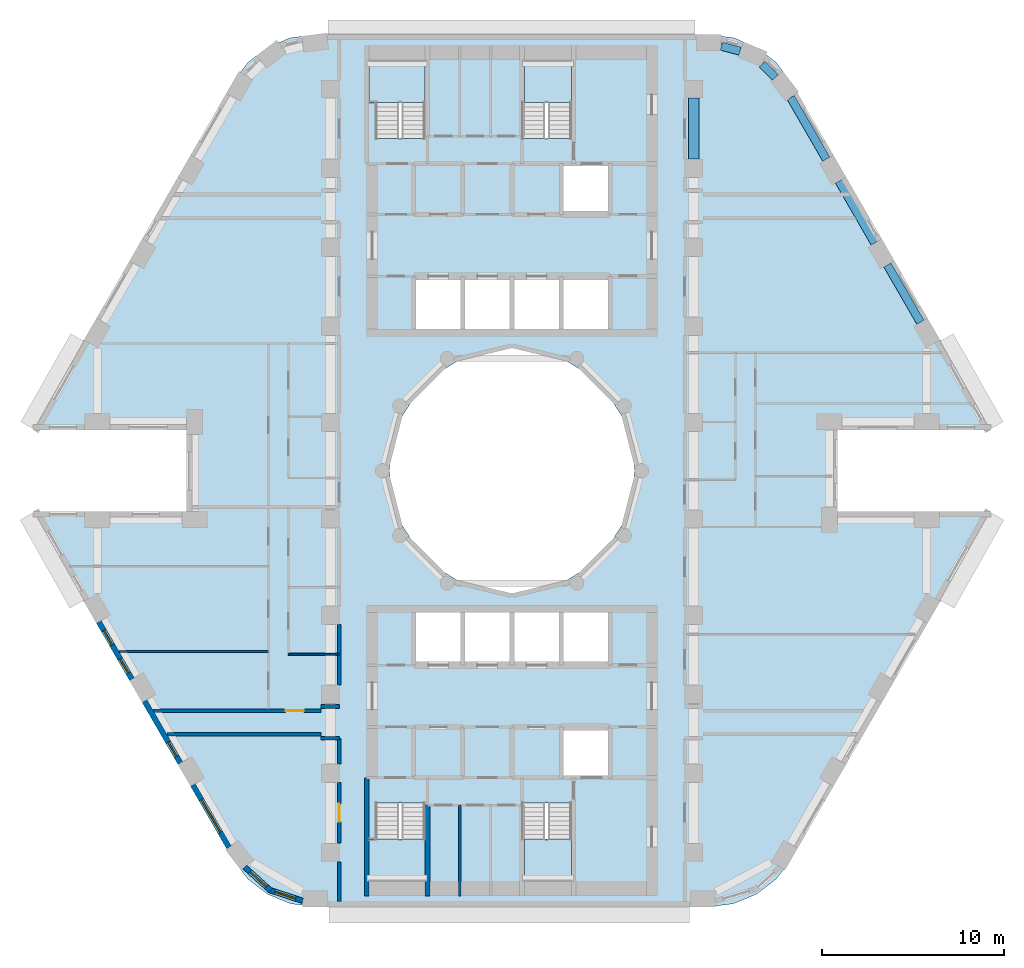
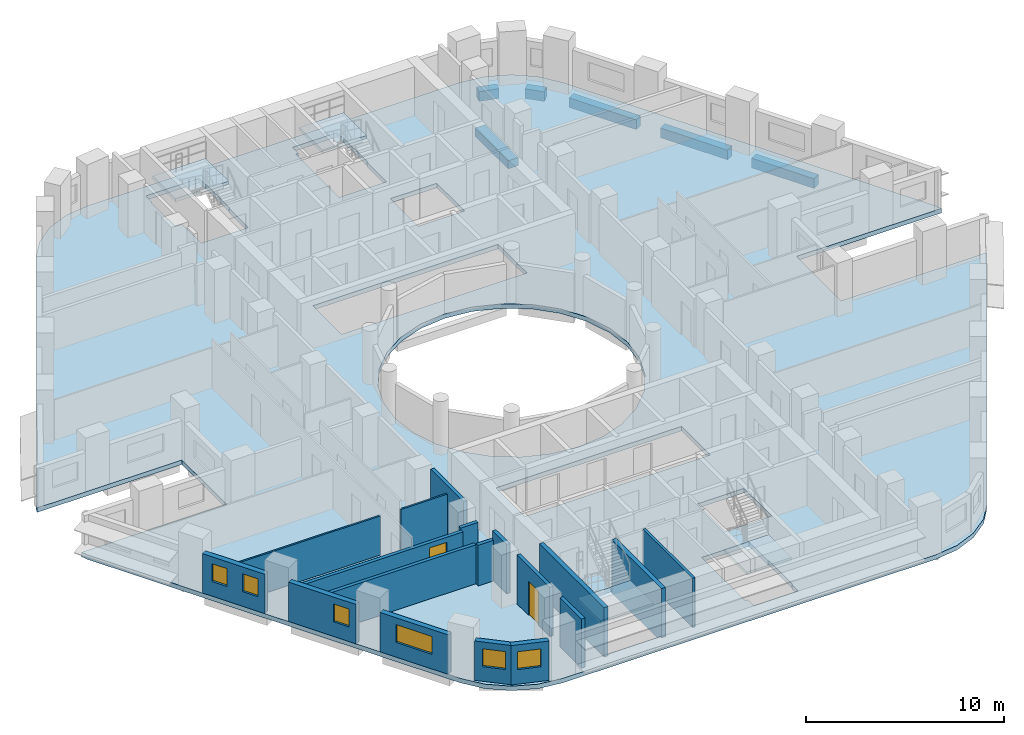
# One storey, part 2 of 12: 18 walls, 6 beams, 6 windows, 5 slabs, 2 doors, 8 openings, 4 elements without a shape of their own.
"""IFC4 building model written with IfcOpenShell, lengths in metres."""

import ifcopenshell
import ifcopenshell.guid

model = None  # the IFC model being written
_history = None  # IfcOwnerHistory: only IFC2X3 demands one
_inside = {}  # id of a spatial element -> (the spatial element, [elements in it])
_under = {}  # id of a project, library or spatial element -> (it, [spatial elements below it])
_declared = {}  # id of a project -> (the project, [libraries it declares])
_typed = {}  # id of a type object -> (the type object, [elements of that type])
_made_of = {}  # id of a material, layer set ... -> (it, [elements and type objects made of it])


def new_model(schema):
    """Start an empty IFC model of exactly this schema.

    Asked for "IFC4X3", IfcOpenShell would pick the latest addendum, in which some entities
    have other attributes; the version numbers below select the first issue.
    IFC2X3 requires an IfcOwnerHistory on every rooted entity: one is made here for all.
    """
    global model, _history
    if schema == "IFC4X3":
        model = ifcopenshell.file(schema_version=(4, 3, 0, 0))
    else:
        model = ifcopenshell.file(schema=schema)
    _inside.clear()
    _under.clear()
    _declared.clear()
    _typed.clear()
    _made_of.clear()
    _history = None
    if model.schema == "IFC2X3":
        org = make("IfcOrganization", Name="unknown")
        user = make(
            "IfcPersonAndOrganization",
            ThePerson=make("IfcPerson", FamilyName="unknown"),
            TheOrganization=org,
        )
        app = make(
            "IfcApplication",
            ApplicationDeveloper=org,
            Version="unknown",
            ApplicationFullName="unknown",
            ApplicationIdentifier="unknown",
        )
        _history = make(
            "IfcOwnerHistory",
            OwningUser=user,
            OwningApplication=app,
            ChangeAction="ADDED",
            CreationDate=0,
        )
    return model


def make(cls, **values):
    """One entity of the class cls with the attributes given. An attribute that is None is left unset."""
    return model.create_entity(
        cls, **{name: value for name, value in values.items() if value is not None}
    )


def rooted(cls, **values):
    """An entity with a GlobalId (a new one), such as an element, a storey or a relation."""
    return make(cls, GlobalId=ifcopenshell.guid.new(), OwnerHistory=_history, **values)


def si_unit(unit_type, name, prefix=None):
    """IfcSIUnit, for example si_unit("LENGTHUNIT", "METRE", prefix="MILLI")."""
    return make("IfcSIUnit", UnitType=unit_type, Prefix=prefix, Name=name)


def assignment(units):
    """IfcUnitAssignment: the units of a project."""
    return None if units is None else make("IfcUnitAssignment", Units=units)


def point(xyz):
    """IfcCartesianPoint."""
    return None if xyz is None else make("IfcCartesianPoint", Coordinates=xyz)


def direction(xyz):
    """IfcDirection."""
    return None if xyz is None else make("IfcDirection", DirectionRatios=xyz)


def frame(location, z_axis=None, x_axis=None):
    """IfcAxis2Placement3D, a coordinate frame: its origin and axes. An axis left out is left unset."""
    return make(
        "IfcAxis2Placement3D",
        Location=point(location),
        Axis=direction(z_axis),
        RefDirection=direction(x_axis),
    )


def frame_2d(location, x_axis=None):
    """IfcAxis2Placement2D, a coordinate frame in the plane: its origin and x axis."""
    return make(
        "IfcAxis2Placement2D", Location=point(location), RefDirection=direction(x_axis)
    )


def origin():
    """The frame at (0, 0, 0) with its axes left unset."""
    return frame((0.0, 0.0, 0.0))


def origin_2d():
    """The frame at (0, 0) in the plane with its x axis left unset."""
    return frame_2d((0.0, 0.0))


def place(relative_to, where):
    """IfcLocalPlacement: puts the frame where relative to a parent placement (None: the world)."""
    return make(
        "IfcLocalPlacement", PlacementRelTo=relative_to, RelativePlacement=where
    )


def context(
    kind, dimensions, precision=None, world=None, true_north=None, identifier=None
):
    """IfcGeometricRepresentationContext, for example the 3D "Model" context."""
    return make(
        "IfcGeometricRepresentationContext",
        ContextIdentifier=identifier,
        ContextType=kind,
        CoordinateSpaceDimension=dimensions,
        Precision=precision,
        WorldCoordinateSystem=world,
        TrueNorth=true_north,
    )


def subcontext(parent, identifier, kind, view, scale=None):
    """IfcGeometricRepresentationSubContext, for example "Body" below "Model"."""
    return make(
        "IfcGeometricRepresentationSubContext",
        ContextIdentifier=identifier,
        ContextType=kind,
        ParentContext=parent,
        TargetScale=scale,
        TargetView=view,
    )


def project(units=None, contexts=None):
    """IfcProject with its units and contexts."""
    return rooted(
        "IfcProject",
        Name="project",
        RepresentationContexts=contexts,
        UnitsInContext=assignment(units),
    )


def spatial(cls, under=None, at=None, **own):
    """A site, building, storey or space (cls), placed at a placement, below another one or the project."""
    s = rooted(cls, ObjectPlacement=at, **own)
    if under is not None:
        _under.setdefault(under.id(), (under, []))[1].append(s)
    return s


def polyline(points):
    """IfcPolyline through the points."""
    return make("IfcPolyline", Points=[point(p) for p in points])


def profile(cls, at=None, kind="AREA", **sizes):
    """A parametric profile (cls). Its sizes go by their IFC names, for example OverallWidth=200.0."""
    return make(cls, ProfileType=kind, Position=at, **sizes)


def rectangle(**sizes):
    """IfcRectangleProfileDef."""
    return profile("IfcRectangleProfileDef", **sizes)


def outline(outer, holes=None, kind="AREA"):
    """IfcArbitraryClosedProfileDef: a profile drawn as a closed curve; with holes, ...WithVoids."""
    if holes is None:
        return make("IfcArbitraryClosedProfileDef", ProfileType=kind, OuterCurve=outer)
    return make(
        "IfcArbitraryProfileDefWithVoids",
        ProfileType=kind,
        OuterCurve=outer,
        InnerCurves=holes,
    )


def extrude(swept, where, along, depth):
    """IfcExtrudedAreaSolid: the profile swept, set in the frame where, extruded along a direction by depth."""
    return make(
        "IfcExtrudedAreaSolid",
        SweptArea=swept,
        Position=where,
        ExtrudedDirection=direction(along),
        Depth=depth,
    )


def shape(context_of_items, identifier, shape_type, items):
    """IfcShapeRepresentation: the items that make up one representation, for example the "Body"."""
    return make(
        "IfcShapeRepresentation",
        ContextOfItems=context_of_items,
        RepresentationIdentifier=identifier,
        RepresentationType=shape_type,
        Items=items,
    )


def material(Name=None, Category=None):
    """IfcMaterial."""
    return make("IfcMaterial", Name=Name, Category=Category)


def layer(
    of_material, thickness, ventilated=None, Name=None, Category=None, Priority=None
):
    """IfcMaterialLayer: one layer of a wall or slab, of a material (None: an air gap)."""
    return make(
        "IfcMaterialLayer",
        Material=of_material,
        LayerThickness=thickness,
        IsVentilated=ventilated,
        Name=Name,
        Category=Category,
        Priority=Priority,
    )


def layer_set(layers, Name=None):
    """IfcMaterialLayerSet."""
    return make("IfcMaterialLayerSet", MaterialLayers=layers, LayerSetName=Name)


def material_profile(
    of_material, cross_section, Name=None, Category=None, Priority=None
):
    """IfcMaterialProfile: a cross section and its material."""
    return make(
        "IfcMaterialProfile",
        Name=Name,
        Material=of_material,
        Profile=cross_section,
        Priority=Priority,
        Category=Category,
    )


def profile_set(profiles, Name=None, composite=None):
    """IfcMaterialProfileSet."""
    return make(
        "IfcMaterialProfileSet",
        Name=Name,
        MaterialProfiles=profiles,
        CompositeProfile=composite,
    )


def made_of(thing, what):
    """Note that an element or type object is made of a material, layer set ...; save() writes the relation."""
    if what is not None:
        _made_of.setdefault(what.id(), (what, []))[1].append(thing)
    return thing


def type_object(cls, material=None, **own):
    """A type object (cls), such as IfcWallType, which elements share."""
    return made_of(rooted(cls, **own), material)


def element(
    cls,
    number,
    at=None,
    inside=None,
    cuts=None,
    type_object=None,
    material=None,
    context=None,
    identifier="Body",
    shape_type=None,
    held_by="IfcProductDefinitionShape",
    body=None,
    shapes=None,
    **own,
):
    """One element of the class cls, such as IfcWall. Its Tag is "e" and its number.

    at: its placement. inside: the storey or other place that contains it. cuts: it is an
    opening in that element (IfcRelVoidsElement). A single representation is given by context,
    identifier, shape_type and body (its items); several are given by shapes. held_by: the class
    of the entity that holds the representations. save() writes the other relations.
    """
    e = rooted(cls, Tag="e%d" % number, ObjectPlacement=at, **own)
    if body is not None:
        shapes = [shape(context, identifier, shape_type, body)]
    if shapes is not None:
        e.Representation = make(held_by, Representations=shapes)
    if inside is not None:
        _inside.setdefault(inside.id(), (inside, []))[1].append(e)
    if cuts is not None:
        rooted(
            "IfcRelVoidsElement", RelatingBuildingElement=cuts, RelatedOpeningElement=e
        )
    if type_object is not None:
        _typed.setdefault(type_object.id(), (type_object, []))[1].append(e)
    return made_of(e, material)


def fill(opening, filler):
    """IfcRelFillsElement: the door or window that sits in an opening."""
    return rooted(
        "IfcRelFillsElement",
        RelatingOpeningElement=opening,
        RelatedBuildingElement=filler,
    )


def aggregate(whole, parts):
    """IfcRelAggregates: a whole, such as a stair, and the parts it consists of."""
    return rooted("IfcRelAggregates", RelatingObject=whole, RelatedObjects=parts)


def save(model, path):
    """Write the relations noted so far, then the file.

    IfcRelAggregates (storeys below a building ...), IfcRelContainedInSpatialStructure (elements
    in a storey), IfcRelDefinesByType, IfcRelAssociatesMaterial and IfcRelDeclares: one each for
    every whole, place, type object, material and project.
    """
    for whole, parts in _under.values():
        aggregate(whole, parts)
    for where, things in _inside.values():
        rooted(
            "IfcRelContainedInSpatialStructure",
            RelatedElements=things,
            RelatingStructure=where,
        )
    for kind, things in _typed.values():
        rooted("IfcRelDefinesByType", RelatedObjects=things, RelatingType=kind)
    for what, things in _made_of.values():
        rooted("IfcRelAssociatesMaterial", RelatedObjects=things, RelatingMaterial=what)
    for by, libraries in _declared.values():
        rooted("IfcRelDeclares", RelatingContext=by, RelatedDefinitions=libraries)
    model.write(path)


model = new_model("IFC4")

# Units and contexts
model_context = context("Model", 3, precision=1e-05, world=origin(), true_north=direction((0.0, 1.0)))
body_context = subcontext(model_context, "Body", "Model", "MODEL_VIEW")
ifc_project = project(units=[si_unit("LENGTHUNIT", "METRE"), si_unit("AREAUNIT", "SQUARE_METRE"), si_unit("VOLUMEUNIT", "CUBIC_METRE"), si_unit("PLANEANGLEUNIT", "RADIAN"), si_unit("MASSUNIT", "GRAM", prefix="KILO")], contexts=[model_context])

# Site, building, storey
site_placement = place(None, origin())
site = spatial("IfcSite", under=ifc_project, at=site_placement, CompositionType="ELEMENT")
building_placement = place(site_placement, origin())
building = spatial("IfcBuilding", under=site, at=building_placement, Name="Nakaniwa Court", CompositionType="ELEMENT")
storey_placement = place(building_placement, frame((0.0, 0.0, 97.5)))
storey = spatial("IfcBuildingStorey", under=building, at=storey_placement, Name="L25", CompositionType="ELEMENT", Elevation=97.5)

# Beams
ifc_material_1 = material(Name="Concrete C80/100", Category="concrete")
ifc_material_profile_1 = material_profile(ifc_material_1, rectangle(XDim=0.449951171875, YDim=0.60009765625, at=origin_2d()), Name="Concrete C80/100 RC 450x600 spandrel beam")
ifc_profile_set_1 = profile_set([ifc_material_profile_1], Name="Concrete C80/100")
beam_type_1 = type_object("IfcBeamType", Name="Concrete C80/100 RC 450x600 spandrel beam", PredefinedType="BEAM", material=ifc_profile_set_1)
beam_1_placement = place(storey_placement, frame((102.472900390625, 88.17578125, -0.574951171875), z_axis=(-0.499988394233, 0.866032104273, 0.0), x_axis=(-0.866032104273, -0.499988394233, 0.0)))
element("IfcBeam", 1, at=beam_1_placement, inside=storey, type_object=beam_type_1, Name="SPANDREL BEAM", PredefinedType="BEAM", context=body_context, shape_type="SweptSolid", body=[
    extrude(rectangle(XDim=0.449951171875, YDim=0.60009765625, at=origin_2d()), origin(), (0.0, 0.0, 1.0), 3.62890625),
])
beam_2_placement = place(storey_placement, frame((99.95849609375, 92.531005859375, -0.574951171875), z_axis=(-0.49999161165, 0.866030246746, 0.0), x_axis=(-0.866030246746, -0.49999161165, 0.0)))
element("IfcBeam", 2, at=beam_2_placement, inside=storey, type_object=beam_type_1, Name="SPANDREL BEAM", PredefinedType="BEAM", context=body_context, shape_type="SweptSolid", body=[
    extrude(rectangle(XDim=0.449951171875, YDim=0.60009765625, at=origin_2d()), origin(), (0.0, 0.0, 1.0), 3.92578125),
])
beam_3_placement = place(storey_placement, frame((97.29541015625, 97.143310546875, -0.574951171875), z_axis=(-0.499997407846, 0.86602690036, 0.0), x_axis=(-0.86602690036, -0.499997407846, 0.0)))
element("IfcBeam", 3, at=beam_3_placement, inside=storey, type_object=beam_type_1, Name="SPANDREL BEAM", PredefinedType="BEAM", context=body_context, shape_type="SweptSolid", body=[
    extrude(rectangle(XDim=0.449951171875, YDim=0.60009765625, at=origin_2d()), origin(), (0.0, 0.0, 1.0), 3.919921875),
])
beam_4_placement = place(storey_placement, frame((94.484130859375, 101.6494140625, -0.574951171875), z_axis=(-0.705911336947, 0.7083002078, 0.0), x_axis=(-0.7083002078, -0.705911336947, 0.0)))
element("IfcBeam", 4, at=beam_4_placement, inside=storey, type_object=beam_type_1, Name="SPANDREL BEAM", PredefinedType="BEAM", context=body_context, shape_type="SweptSolid", body=[
    extrude(rectangle(XDim=0.449951171875, YDim=0.60009765625, at=origin_2d()), origin(), (0.0, 0.0, 1.0), 1.02197265625),
])
beam_5_placement = place(storey_placement, frame((92.544921875, 103.091796875, -0.574951171875), z_axis=(-0.966315487466, 0.257360406209, 0.0), x_axis=(-0.257360406209, -0.966315487466, 0.0)))
element("IfcBeam", 5, at=beam_5_placement, inside=storey, type_object=beam_type_1, Name="SPANDREL BEAM", PredefinedType="BEAM", context=body_context, shape_type="SweptSolid", body=[
    extrude(rectangle(XDim=0.449951171875, YDim=0.60009765625, at=origin_2d()), origin(), (0.0, 0.0, 1.0), 1.055908203125),
])
ifc_material_profile_2 = material_profile(ifc_material_1, rectangle(XDim=0.60009765625, YDim=0.5, at=origin_2d()), Name="Concrete C80/100 RC 600x500 ring beam")
ifc_profile_set_2 = profile_set([ifc_material_profile_2], Name="Concrete C80/100")
beam_type_2 = type_object("IfcBeamType", Name="Concrete C80/100 RC 600x500 ring beam", PredefinedType="BEAM", material=ifc_profile_set_2)
beam_6_placement = place(storey_placement, frame((90.0, 97.14990234375, -0.52490234375), z_axis=(0.0, 1.0, 0.0), x_axis=(-1.0, 0.0, 0.0)))
element("IfcBeam", 6, at=beam_6_placement, inside=storey, type_object=beam_type_2, Name="RING BEAM", PredefinedType="BEAM", context=body_context, shape_type="SweptSolid", body=[
    extrude(rectangle(XDim=0.60009765625, YDim=0.5, at=origin_2d()), origin(), (0.0, 0.0, 1.0), 3.35009765625),
])

# Slab
ifc_layer_1 = layer(ifc_material_1, 0.27490234375)
ifc_layer_set_1 = layer_set([ifc_layer_1], Name="Concrete C80/100")
slab_type_1 = type_object("IfcSlabType", Name="Concrete C80/100 post tensioned floor slab 275", PredefinedType="FLOOR", material=ifc_layer_set_1)
slab_1_placement = place(storey_placement, frame((0.0, 0.0, -0.27490234375)))
element("IfcSlab", 7, at=slab_1_placement, inside=storey, type_object=slab_type_1, Name="FLOOR SLAB", PredefinedType="FLOOR", context=body_context, shape_type="SweptSolid", body=[
    extrude(outline(polyline([(97.908447265625, 82.25), (106.356689453125, 82.25), (106.211669921875, 82.60009765625), (95.357421875, 101.39990234375), (94.531005859375, 102.47705078125), (93.4541015625, 103.30322265625), (92.199951171875, 103.82275390625), (90.854248046875, 104.0), (69.145751953125, 104.0), (67.800048828125, 103.82275390625), (66.5458984375, 103.30322265625), (65.468994140625, 102.47705078125), (64.642578125, 101.39990234375), (53.788330078125, 82.60009765625), (53.643310546875, 82.25), (62.091552734375, 82.25), (62.091552734375, 77.75), (53.643310546875, 77.75), (53.788330078125, 77.39990234375), (64.642578125, 58.60009765625), (65.468994140625, 57.52294921875), (66.5458984375, 56.69677734375), (67.800048828125, 56.17724609375), (69.145751953125, 56.0), (90.854248046875, 56.0), (92.199951171875, 56.17724609375), (93.4541015625, 56.69677734375), (94.531005859375, 57.52294921875), (95.357421875, 58.60009765625), (106.211669921875, 77.39990234375), (106.356689453125, 77.75), (97.908447265625, 77.75), (97.908447265625, 82.25)]), holes=[polyline([(81.501953125, 86.580810546875), (80.0, 86.75), (78.498046875, 86.580810546875), (77.0712890625, 86.08154296875), (75.79150390625, 85.27734375), (74.72265625, 84.20849609375), (73.91845703125, 82.9287109375), (73.419189453125, 81.501953125), (73.25, 80.0), (73.419189453125, 78.498046875), (73.91845703125, 77.0712890625), (74.72265625, 75.79150390625), (75.79150390625, 74.72265625), (77.0712890625, 73.91845703125), (78.498046875, 73.419189453125), (80.0, 73.25), (81.501953125, 73.419189453125), (82.9287109375, 73.91845703125), (84.20849609375, 74.72265625), (85.27734375, 75.79150390625), (86.08154296875, 77.0712890625), (86.580810546875, 78.498046875), (86.75, 80.0), (86.580810546875, 81.501953125), (86.08154296875, 82.9287109375), (85.27734375, 84.20849609375), (84.20849609375, 85.27734375), (82.9287109375, 86.08154296875), (81.501953125, 86.580810546875)]), polyline([(75.264892578125, 57.360107421875), (75.264892578125, 59.764892578125), (75.22509765625, 59.764892578125), (75.22509765625, 61.7099609375), (72.47509765625, 61.7099609375), (72.47509765625, 59.764892578125), (72.0849609375, 59.764892578125), (72.0849609375, 57.360107421875), (72.125, 57.360107421875), (72.125, 56.72509765625), (75.22509765625, 56.72509765625), (75.22509765625, 57.324951171875), (75.22509765625, 57.360107421875), (75.264892578125, 57.360107421875)]), polyline([(80.0, 69.300048828125), (82.699951171875, 69.300048828125), (85.39990234375, 69.300048828125), (85.39990234375, 72.199951171875), (82.699951171875, 72.199951171875), (80.0, 72.199951171875), (77.300048828125, 72.199951171875), (74.60009765625, 72.199951171875), (74.60009765625, 69.300048828125), (77.300048828125, 69.300048828125), (80.0, 69.300048828125)]), polyline([(80.0, 87.800048828125), (82.699951171875, 87.800048828125), (85.39990234375, 87.800048828125), (85.39990234375, 90.699951171875), (82.699951171875, 90.699951171875), (80.0, 90.699951171875), (77.300048828125, 90.699951171875), (74.60009765625, 90.699951171875), (74.60009765625, 87.800048828125), (77.300048828125, 87.800048828125), (80.0, 87.800048828125)]), polyline([(75.264892578125, 100.235107421875), (75.264892578125, 102.639892578125), (75.22509765625, 102.639892578125), (75.22509765625, 102.675048828125), (75.22509765625, 103.27490234375), (72.125, 103.27490234375), (72.125, 102.639892578125), (72.0849609375, 102.639892578125), (72.0849609375, 100.235107421875), (72.47509765625, 100.235107421875), (72.47509765625, 98.2900390625), (75.22509765625, 98.2900390625), (75.22509765625, 100.235107421875), (75.264892578125, 100.235107421875)]), polyline([(83.27490234375, 61.7099609375), (80.52490234375, 61.7099609375), (80.52490234375, 57.324951171875), (80.675048828125, 57.324951171875), (80.675048828125, 56.72509765625), (83.27490234375, 56.72509765625), (83.27490234375, 57.324951171875), (83.27490234375, 57.360107421875), (83.31494140625, 57.360107421875), (83.31494140625, 59.764892578125), (83.27490234375, 59.764892578125), (83.27490234375, 61.7099609375)]), polyline([(85.39990234375, 65.89990234375), (82.699951171875, 65.89990234375), (82.699951171875, 63.10009765625), (85.39990234375, 63.10009765625), (85.39990234375, 65.89990234375)]), polyline([(85.39990234375, 96.89990234375), (82.699951171875, 96.89990234375), (82.699951171875, 94.10009765625), (85.39990234375, 94.10009765625), (85.39990234375, 96.89990234375)]), polyline([(83.27490234375, 100.235107421875), (83.31494140625, 100.235107421875), (83.31494140625, 102.639892578125), (83.27490234375, 102.639892578125), (83.27490234375, 102.675048828125), (83.27490234375, 103.27490234375), (80.675048828125, 103.27490234375), (80.675048828125, 102.675048828125), (80.52490234375, 102.675048828125), (80.52490234375, 98.2900390625), (83.27490234375, 98.2900390625), (83.27490234375, 100.235107421875)])]), origin(), (0.0, 0.0, 1.0), 0.27490234375),
])

# Stair, slab
stair_type = type_object("IfcStairType", Name="Dog leg stair 1300 wide 18 risers", PredefinedType="HALF_TURN_STAIR", material=ifc_material_1)
stair_1_placement = place(storey_placement, origin())
stair_1 = element("IfcStair", 8, at=stair_1_placement, inside=storey, type_object=stair_type, Name="L25 Stair ST1", PredefinedType="HALF_TURN_STAIR")
ifc_layer_2 = layer(ifc_material_1, 0.199951171875)
ifc_layer_set_2 = layer_set([ifc_layer_2], Name="Concrete C80/100")
slab_type_2 = type_object("IfcSlabType", Name="Stair landing concrete", PredefinedType="LANDING", material=ifc_layer_set_2)
slab_2_placement = place(storey_placement, frame((0.0, 0.0, 1.449951171875)))
slab_2 = element("IfcSlab", 9, at=slab_2_placement, type_object=slab_type_2, Name="ST1 landing 1", PredefinedType="LANDING", context=body_context, shape_type="SweptSolid", body=[
    extrude(outline(polyline([(75.22509765625, 100.27490234375), (75.22509765625, 102.60009765625), (72.125, 102.60009765625), (72.125, 100.27490234375), (75.22509765625, 100.27490234375)])), origin(), (0.0, 0.0, 1.0), 0.199951171875),
])
aggregate(stair_1, [slab_2])

stair_2_placement = place(storey_placement, origin())
stair_2 = element("IfcStair", 10, at=stair_2_placement, inside=storey, type_object=stair_type, Name="L25 Stair ST2", PredefinedType="HALF_TURN_STAIR")
slab_3_placement = place(storey_placement, frame((0.0, 0.0, 1.449951171875)))
slab_3 = element("IfcSlab", 11, at=slab_3_placement, type_object=slab_type_2, Name="ST2 landing 1", PredefinedType="LANDING", context=body_context, shape_type="SweptSolid", body=[
    extrude(outline(polyline([(83.27490234375, 100.27490234375), (83.27490234375, 102.60009765625), (80.675048828125, 102.60009765625), (80.675048828125, 100.27490234375), (83.27490234375, 100.27490234375)])), origin(), (0.0, 0.0, 1.0), 0.199951171875),
])
aggregate(stair_2, [slab_3])

stair_3_placement = place(storey_placement, origin())
stair_3 = element("IfcStair", 12, at=stair_3_placement, inside=storey, type_object=stair_type, Name="L25 Stair ST3", PredefinedType="HALF_TURN_STAIR")
slab_4_placement = place(storey_placement, frame((0.0, 0.0, 1.449951171875)))
slab_4 = element("IfcSlab", 13, at=slab_4_placement, type_object=slab_type_2, Name="ST3 landing 1", PredefinedType="LANDING", context=body_context, shape_type="SweptSolid", body=[
    extrude(outline(polyline([(75.22509765625, 57.39990234375), (75.22509765625, 59.72509765625), (72.125, 59.72509765625), (72.125, 57.39990234375), (75.22509765625, 57.39990234375)])), origin(), (0.0, 0.0, 1.0), 0.199951171875),
])
aggregate(stair_3, [slab_4])

stair_4_placement = place(storey_placement, origin())
stair_4 = element("IfcStair", 14, at=stair_4_placement, inside=storey, type_object=stair_type, Name="L25 Stair ST4", PredefinedType="HALF_TURN_STAIR")
slab_5_placement = place(storey_placement, frame((0.0, 0.0, 1.449951171875)))
slab_5 = element("IfcSlab", 15, at=slab_5_placement, type_object=slab_type_2, Name="ST4 landing 1", PredefinedType="LANDING", context=body_context, shape_type="SweptSolid", body=[
    extrude(outline(polyline([(83.27490234375, 57.39990234375), (83.27490234375, 59.72509765625), (80.675048828125, 59.72509765625), (80.675048828125, 57.39990234375), (83.27490234375, 57.39990234375)])), origin(), (0.0, 0.0, 1.0), 0.199951171875),
])
aggregate(stair_4, [slab_5])

# Walls
ifc_material_2 = material(Name="Acoustic double stud partition")
ifc_layer_3 = layer(ifc_material_2, 0.199951171875)
ifc_layer_set_3 = layer_set([ifc_layer_3], Name="Acoustic double stud partition")
wall_type_1 = type_object("IfcWallType", Name="Acoustic double stud partition 200", PredefinedType="PARTITIONING", material=ifc_layer_set_3)
wall_1_placement = place(storey_placement, frame((61.005126953125, 65.5, 0.0), z_axis=(0.0, 0.0, 1.0), x_axis=(1.0, 0.0, 0.0)))
element("IfcWall", 16, at=wall_1_placement, inside=storey, type_object=wall_type_1, Name="Partition PW-089", PredefinedType="PARTITIONING", context=body_context, shape_type="SweptSolid", body=[
    extrude(rectangle(XDim=8.494873046875, YDim=0.199951171875, at=frame_2d((4.24755859375, 0.0))), origin(), (0.0, 0.0, 1.0), 2.405029296875),
])
for number, where, z_axis, x_axis, name in (
    (17, (69.5, 65.27490234375, 0.0), (0.0, 0.0, 1.0), (1.0, 0.0, 0.0), "Partition PW-091"),
    (18, (69.5, 67.02490234375, 0.0), (0.0, 0.0, 1.0), (1.0, 0.0, 0.0), "Partition PW-093"),
):
    element("IfcWall", number, at=place(storey_placement, frame(where, z_axis=z_axis, x_axis=x_axis)), inside=storey, type_object=wall_type_1, Name=name, PredefinedType="PARTITIONING", context=body_context, shape_type="SweptSolid", body=[
        extrude(rectangle(XDim=1.0, YDim=0.199951171875, at=frame_2d((0.5, 0.0))), origin(), (0.0, 0.0, 1.0), 2.5048828125),
    ])

# Wall, opening, door
wall_2_placement = place(storey_placement, frame((60.254638671875, 66.800048828125, 0.0), z_axis=(0.0, 0.0, 1.0), x_axis=(1.0, 0.0, 0.0)))
wall_2 = element("IfcWall", 19, at=wall_2_placement, inside=storey, type_object=wall_type_1, Name="Partition PW-095", PredefinedType="PARTITIONING", context=body_context, shape_type="SweptSolid", body=[
    extrude(rectangle(XDim=9.245361328125, YDim=0.199951171875, at=frame_2d((4.62255859375, 0.0))), origin(), (0.0, 0.0, 1.0), 2.405029296875),
])
opening_1_placement = place(wall_2_placement, frame((7.294921875, 0.0, 0.0)))
opening_1 = element("IfcOpeningElement", 20, at=opening_1_placement, cuts=wall_2, Name="Opening D-01-02", PredefinedType="OPENING", context=body_context, shape_type="SweptSolid", body=[
    extrude(rectangle(XDim=1.0, YDim=2.10009765625, at=frame_2d((0.5, 1.050048828125))), frame((0.0, 0.10986328125, 0.0), z_axis=(0.0, -1.0, 0.0), x_axis=(1.0, 0.0, 0.0)), (0.0, 0.0, 1.0), 0.219970703125),
])
ifc_material_3 = material(Name="Solid core timber door set, black veneer", Category="wood")
door_type_1 = type_object("IfcDoorType", Name="Flat entrance door 1000", OperationType="NOTDEFINED", PredefinedType="DOOR", material=ifc_material_3)
door_1_placement = place(opening_1_placement, origin())
door_1 = element("IfcDoor", 21, at=door_1_placement, inside=storey, type_object=door_type_1, Name="Door D-01-02 L25-036", OperationType="SINGLE_SWING_LEFT", OverallHeight=2.10009765625, OverallWidth=1.0, PredefinedType="DOOR", context=body_context, shape_type="SweptSolid", body=[
    extrude(rectangle(XDim=1.0, YDim=2.10009765625, at=frame_2d((0.5, 1.050048828125))), frame((0.0, 0.02490234375, 0.0), z_axis=(0.0, -1.0, 0.0), x_axis=(1.0, 0.0, 0.0)), (0.0, 0.0, 1.0), 0.050048828125),
])
fill(opening_1, door_1)

# Wall
wall_3_placement = place(storey_placement, frame((70.5, 56.300048828125, 0.0), z_axis=(0.0, 0.0, 1.0), x_axis=(0.0, 1.0, 0.0)))
element("IfcWall", 22, at=wall_3_placement, inside=storey, type_object=wall_type_1, Name="Partition PW-097", PredefinedType="PARTITIONING", context=body_context, shape_type="SweptSolid", body=[
    extrude(rectangle(XDim=2.182861328125, YDim=0.199951171875, at=frame_2d((1.09130859375, 0.0))), origin(), (0.0, 0.0, 1.0), 3.02490234375),
])

# Wall, opening, door
wall_4_placement = place(storey_placement, frame((70.5, 59.51708984375, 0.0), z_axis=(0.0, 0.0, 1.0), x_axis=(0.0, 1.0, 0.0)))
wall_4 = element("IfcWall", 23, at=wall_4_placement, inside=storey, type_object=wall_type_1, Name="Partition PW-098", PredefinedType="PARTITIONING", context=body_context, shape_type="SweptSolid", body=[
    extrude(rectangle(XDim=3.31591796875, YDim=0.199951171875, at=frame_2d((1.657958984375, 0.0))), origin(), (0.0, 0.0, 1.0), 3.02490234375),
])
opening_2_placement = place(wall_4_placement, frame((1.157958984375, 0.0, 0.0)))
opening_2 = element("IfcOpeningElement", 24, at=opening_2_placement, cuts=wall_4, Name="Opening D-02-03", PredefinedType="OPENING", context=body_context, shape_type="SweptSolid", body=[
    extrude(rectangle(XDim=1.0, YDim=2.10009765625, at=frame_2d((0.5, 1.050048828125))), frame((0.0, 0.10986328125, 0.0), z_axis=(0.0, -1.0, 0.0), x_axis=(1.0, 0.0, 0.0)), (0.0, 0.0, 1.0), 0.219970703125),
])
door_type_2 = type_object("IfcDoorType", Name="Internal door 1000", OperationType="NOTDEFINED", PredefinedType="DOOR", material=ifc_material_3)
door_2_placement = place(opening_2_placement, origin())
door_2 = element("IfcDoor", 25, at=door_2_placement, inside=storey, type_object=door_type_2, Name="Door D-02-03 L25-035", OperationType="SINGLE_SWING_RIGHT", OverallHeight=2.10009765625, OverallWidth=1.0, PredefinedType="DOOR", context=body_context, shape_type="SweptSolid", body=[
    extrude(rectangle(XDim=1.0, YDim=2.10009765625, at=frame_2d((0.5, 1.050048828125))), frame((0.0, 0.02490234375, 0.0), z_axis=(0.0, -1.0, 0.0), x_axis=(1.0, 0.0, 0.0)), (0.0, 0.0, 1.0), 0.050048828125),
])
fill(opening_2, door_2)

# Walls
wall_5_placement = place(storey_placement, frame((70.5, 63.866943359375, 0.0), z_axis=(0.0, 0.0, 1.0), x_axis=(0.0, 1.0, 0.0)))
element("IfcWall", 26, at=wall_5_placement, inside=storey, type_object=wall_type_1, Name="Partition PW-099", PredefinedType="PARTITIONING", context=body_context, shape_type="SweptSolid", body=[
    extrude(rectangle(XDim=1.4111328125, YDim=0.199951171875, at=frame_2d((0.70556640625, 0.0))), origin(), (0.0, 0.0, 1.0), 3.02490234375),
])
wall_6_placement = place(storey_placement, frame((70.5, 68.217041015625, 0.0), z_axis=(0.0, 0.0, 1.0), x_axis=(0.0, 1.0, 0.0)))
element("IfcWall", 27, at=wall_6_placement, inside=storey, type_object=wall_type_1, Name="Partition PW-100", PredefinedType="PARTITIONING", context=body_context, shape_type="SweptSolid", body=[
    extrude(rectangle(XDim=3.31591796875, YDim=0.199951171875, at=frame_2d((1.657958984375, 0.0))), origin(), (0.0, 0.0, 1.0), 3.02490234375),
])

# Wall, openings, windows
ifc_material_4 = material(Name="Charcoal ceramic cladding")
ifc_layer_4 = layer(ifc_material_4, 0.02, Name="Ceramic cladding")
ifc_material_5 = material(Name="Ventilated air cavity")
ifc_layer_5 = layer(ifc_material_5, 0.04, ventilated=True, Name="Ventilated cavity")
ifc_material_6 = material(Name="Mineral wool insulation")
ifc_layer_6 = layer(ifc_material_6, 0.1, Name="Insulation")
ifc_material_7 = material(Name="Cement bonded sheathing board")
ifc_layer_7 = layer(ifc_material_7, 0.012, Name="Sheathing")
ifc_material_8 = material(Name="Cold-formed galvanised stud frame with mineral wool infill")
ifc_layer_8 = layer(ifc_material_8, 0.1, Name="Stud frame")
ifc_material_9 = material(Name="Fire-rated gypsum plasterboard lining")
ifc_layer_9 = layer(ifc_material_9, 0.028, Name="Lining")
ifc_layer_set_4 = layer_set([ifc_layer_4, ifc_layer_5, ifc_layer_6, ifc_layer_7, ifc_layer_8, ifc_layer_9], Name="Charcoal ceramic faced external wall system")
wall_type_2 = type_object("IfcWallType", Name="Black ceramic faced external wall 300", PredefinedType="SOLIDWALL", material=ifc_layer_set_4)
wall_7_placement = place(storey_placement, frame((57.265380859375, 71.677490234375, 0.0), z_axis=(0.0, 0.0, 1.0), x_axis=(0.500009139881, -0.866020126807, 0.0)))
wall_7 = element("IfcWall", 28, at=wall_7_placement, inside=storey, type_object=wall_type_2, Name="L25 external wall 21", PredefinedType="SOLIDWALL", context=body_context, shape_type="SweptSolid", body=[
    extrude(rectangle(XDim=3.63671875, YDim=0.300048828125, at=frame_2d((1.818359375, 0.0))), origin(), (0.0, 0.0, 1.0), 2.425048828125),
])
opening_3_placement = place(wall_7_placement, frame((0.5498046875, 0.0, 0.89990234375)))
opening_3 = element("IfcOpeningElement", 29, at=opening_3_placement, cuts=wall_7, Name="Opening W9.23", PredefinedType="OPENING", context=body_context, shape_type="SweptSolid", body=[
    extrude(rectangle(XDim=0.89990234375, YDim=1.10009765625, at=frame_2d((0.449951171875, 0.550048828125))), frame((0.0, 0.159912109375, 0.0), z_axis=(0.0, -1.0, 0.0), x_axis=(1.0, 0.0, 0.0)), (0.0, 0.0, 1.0), 0.320068359375),
])
opening_4_placement = place(wall_7_placement, frame((2.34423828125, 0.0, 0.89990234375)))
opening_4 = element("IfcOpeningElement", 30, at=opening_4_placement, cuts=wall_7, Name="Opening W9.24", PredefinedType="OPENING", context=body_context, shape_type="SweptSolid", body=[
    extrude(rectangle(XDim=0.89990234375, YDim=1.10009765625, at=frame_2d((0.449951171875, 0.550048828125))), frame((0.0, 0.159912109375, 0.0), z_axis=(0.0, -1.0, 0.0), x_axis=(1.0, 0.0, 0.0)), (0.0, 0.0, 1.0), 0.320068359375),
])
ifc_material_10 = material(Name="Black anodised aluminium frame with dark low-E laminated double glazing", Category="aluminium")
window_type_1 = type_object("IfcWindowType", Name="Dark glass window 900x1100 sill 900", PartitioningType="SINGLE_PANEL", PredefinedType="WINDOW", material=ifc_material_10)
window_1_placement = place(opening_3_placement, origin())
window_1 = element("IfcWindow", 31, at=window_1_placement, inside=storey, type_object=window_type_1, Name="L25 living window 21-0", OverallHeight=1.10009765625, OverallWidth=0.89990234375, PartitioningType="SINGLE_PANEL", PredefinedType="WINDOW", context=body_context, shape_type="SweptSolid", body=[
    extrude(rectangle(XDim=0.89990234375, YDim=1.10009765625, at=frame_2d((0.449951171875, 0.550048828125))), frame((0.0, 0.030029296875, 0.0), z_axis=(0.0, -1.0, 0.0), x_axis=(1.0, 0.0, 0.0)), (0.0, 0.0, 1.0), 0.06005859375),
])
fill(opening_3, window_1)
window_2_placement = place(opening_4_placement, origin())
window_2 = element("IfcWindow", 32, at=window_2_placement, inside=storey, type_object=window_type_1, Name="L25 bedroom window 21-1", OverallHeight=1.10009765625, OverallWidth=0.89990234375, PartitioningType="SINGLE_PANEL", PredefinedType="WINDOW", context=body_context, shape_type="SweptSolid", body=[
    extrude(rectangle(XDim=0.89990234375, YDim=1.10009765625, at=frame_2d((0.449951171875, 0.550048828125))), frame((0.0, 0.030029296875, 0.0), z_axis=(0.0, -1.0, 0.0), x_axis=(1.0, 0.0, 0.0)), (0.0, 0.0, 1.0), 0.06005859375),
])
fill(opening_4, window_2)

# Wall, opening, window
wall_8_placement = place(storey_placement, frame((59.77978515625, 67.322509765625, 0.0), z_axis=(0.0, 0.0, 1.0), x_axis=(0.499957037901, -0.866050206543, 0.0)))
wall_8 = element("IfcWall", 33, at=wall_8_placement, inside=storey, type_object=wall_type_2, Name="L25 external wall 22", PredefinedType="SOLIDWALL", context=body_context, shape_type="SweptSolid", body=[
    extrude(rectangle(XDim=3.933837890625, YDim=0.300048828125, at=frame_2d((1.966796875, 0.0))), origin(), (0.0, 0.0, 1.0), 2.425048828125),
])
opening_5_placement = place(wall_8_placement, frame((2.606201171875, 0.0, 0.89990234375)))
opening_5 = element("IfcOpeningElement", 34, at=opening_5_placement, cuts=wall_8, Name="Opening W9.25", PredefinedType="OPENING", context=body_context, shape_type="SweptSolid", body=[
    extrude(rectangle(XDim=0.89990234375, YDim=1.10009765625, at=frame_2d((0.449951171875, 0.550048828125))), frame((0.0, 0.159912109375, 0.0), z_axis=(0.0, -1.0, 0.0), x_axis=(1.0, 0.0, 0.0)), (0.0, 0.0, 1.0), 0.320068359375),
])
window_3_placement = place(opening_5_placement, origin())
window_3 = element("IfcWindow", 35, at=window_3_placement, inside=storey, type_object=window_type_1, Name="L25 habitable room window 22-2", OverallHeight=1.10009765625, OverallWidth=0.89990234375, PartitioningType="SINGLE_PANEL", PredefinedType="WINDOW", context=body_context, shape_type="SweptSolid", body=[
    extrude(rectangle(XDim=0.89990234375, YDim=1.10009765625, at=frame_2d((0.449951171875, 0.550048828125))), frame((0.0, 0.030029296875, 0.0), z_axis=(0.0, -1.0, 0.0), x_axis=(1.0, 0.0, 0.0)), (0.0, 0.0, 1.0), 0.06005859375),
])
fill(opening_5, window_3)

wall_9_placement = place(storey_placement, frame((62.442626953125, 62.710205078125, 0.0), z_axis=(0.0, 0.0, 1.0), x_axis=(0.500043828347, -0.866000097998, 0.0)))
wall_9 = element("IfcWall", 36, at=wall_9_placement, inside=storey, type_object=wall_type_2, Name="L25 external wall 23", PredefinedType="SOLIDWALL", context=body_context, shape_type="SweptSolid", body=[
    extrude(rectangle(XDim=3.967529296875, YDim=0.300048828125, at=frame_2d((1.98388671875, 0.0))), origin(), (0.0, 0.0, 1.0), 2.425048828125),
])
opening_6_placement = place(wall_9_placement, frame((0.92236328125, 0.0, 0.89990234375)))
opening_6 = element("IfcOpeningElement", 37, at=opening_6_placement, cuts=wall_9, Name="Opening W7.26", PredefinedType="OPENING", context=body_context, shape_type="SweptSolid", body=[
    extrude(rectangle(XDim=2.10009765625, YDim=1.10009765625, at=frame_2d((1.050048828125, 0.550048828125))), frame((0.0, 0.159912109375, 0.0), z_axis=(0.0, -1.0, 0.0), x_axis=(1.0, 0.0, 0.0)), (0.0, 0.0, 1.0), 0.320068359375),
])
window_type_2 = type_object("IfcWindowType", Name="Dark glass window 2100x1100 sill 900", PartitioningType="SINGLE_PANEL", PredefinedType="WINDOW", material=ifc_material_10)
window_4_placement = place(opening_6_placement, origin())
window_4 = element("IfcWindow", 38, at=window_4_placement, inside=storey, type_object=window_type_2, Name="L25 habitable room window 23-0", OverallHeight=1.10009765625, OverallWidth=2.10009765625, PartitioningType="SINGLE_PANEL", PredefinedType="WINDOW", context=body_context, shape_type="SweptSolid", body=[
    extrude(rectangle(XDim=2.10009765625, YDim=1.10009765625, at=frame_2d((1.050048828125, 0.550048828125))), frame((0.0, 0.030029296875, 0.0), z_axis=(0.0, -1.0, 0.0), x_axis=(1.0, 0.0, 0.0)), (0.0, 0.0, 1.0), 0.06005859375),
])
fill(opening_6, window_4)

wall_10_placement = place(storey_placement, frame((65.294921875, 58.18603515625, 0.0), z_axis=(0.0, 0.0, 1.0), x_axis=(0.740421367382, -0.672142989791, 0.0)))
wall_10 = element("IfcWall", 39, at=wall_10_placement, inside=storey, type_object=wall_type_2, Name="L25 external wall 24", PredefinedType="SOLIDWALL", context=body_context, shape_type="SweptSolid", body=[
    extrude(rectangle(XDim=1.92724609375, YDim=0.300048828125, at=frame_2d((0.963623046875, 0.0))), origin(), (0.0, 0.0, 1.0), 2.425048828125),
])
opening_7_placement = place(wall_10_placement, frame((0.39111328125, 0.0, 0.89990234375)))
opening_7 = element("IfcOpeningElement", 40, at=opening_7_placement, cuts=wall_10, Name="Opening W6.27", PredefinedType="OPENING", context=body_context, shape_type="SweptSolid", body=[
    extrude(rectangle(XDim=1.199951171875, YDim=1.10009765625, at=frame_2d((0.60009765625, 0.550048828125))), frame((0.0, 0.159912109375, 0.0), z_axis=(0.0, -1.0, 0.0), x_axis=(1.0, 0.0, 0.0)), (0.0, 0.0, 1.0), 0.320068359375),
])
window_type_3 = type_object("IfcWindowType", Name="Dark glass window 1200x1100 sill 900", PartitioningType="SINGLE_PANEL", PredefinedType="WINDOW", material=ifc_material_10)
window_5_placement = place(opening_7_placement, origin())
window_5 = element("IfcWindow", 41, at=window_5_placement, inside=storey, type_object=window_type_3, Name="L25 habitable room window 24-0", OverallHeight=1.10009765625, OverallWidth=1.199951171875, PartitioningType="SINGLE_PANEL", PredefinedType="WINDOW", context=body_context, shape_type="SweptSolid", body=[
    extrude(rectangle(XDim=1.199951171875, YDim=1.10009765625, at=frame_2d((0.60009765625, 0.550048828125))), frame((0.0, 0.030029296875, 0.0), z_axis=(0.0, -1.0, 0.0), x_axis=(1.0, 0.0, 0.0)), (0.0, 0.0, 1.0), 0.06005859375),
])
fill(opening_7, window_5)

wall_11_placement = place(storey_placement, frame((66.625, 56.939453125, 0.0), z_axis=(0.0, 0.0, 1.0), x_axis=(0.950777961763, -0.309872985958, 0.0)))
wall_11 = element("IfcWall", 42, at=wall_11_placement, inside=storey, type_object=wall_type_2, Name="L25 external wall 25", PredefinedType="SOLIDWALL", context=body_context, shape_type="SweptSolid", body=[
    extrude(rectangle(XDim=1.949951171875, YDim=0.300048828125, at=frame_2d((0.97509765625, 0.0))), origin(), (0.0, 0.0, 1.0), 2.425048828125),
])
opening_8_placement = place(wall_11_placement, frame((0.334716796875, 0.0, 0.89990234375)))
opening_8 = element("IfcOpeningElement", 43, at=opening_8_placement, cuts=wall_11, Name="Opening W6.28", PredefinedType="OPENING", context=body_context, shape_type="SweptSolid", body=[
    extrude(rectangle(XDim=1.199951171875, YDim=1.10009765625, at=frame_2d((0.60009765625, 0.550048828125))), frame((0.0, 0.159912109375, 0.0), z_axis=(0.0, -1.0, 0.0), x_axis=(1.0, 0.0, 0.0)), (0.0, 0.0, 1.0), 0.320068359375),
])
window_6_placement = place(opening_8_placement, origin())
window_6 = element("IfcWindow", 44, at=window_6_placement, inside=storey, type_object=window_type_3, Name="L25 habitable room window 25-0", OverallHeight=1.10009765625, OverallWidth=1.199951171875, PartitioningType="SINGLE_PANEL", PredefinedType="WINDOW", context=body_context, shape_type="SweptSolid", body=[
    extrude(rectangle(XDim=1.199951171875, YDim=1.10009765625, at=frame_2d((0.60009765625, 0.550048828125))), frame((0.0, 0.030029296875, 0.0), z_axis=(0.0, -1.0, 0.0), x_axis=(1.0, 0.0, 0.0)), (0.0, 0.0, 1.0), 0.06005859375),
])
fill(opening_8, window_6)

# Walls
ifc_material_11 = material(Name="Blockwork partition", Category="masonry")
ifc_layer_10 = layer(ifc_material_11, 0.14990234375)
ifc_layer_set_5 = layer_set([ifc_layer_10], Name="Blockwork partition")
wall_type_3 = type_object("IfcWallType", Name="Blockwork partition 150", PredefinedType="PARTITIONING", material=ifc_layer_set_5)
wall_12_placement = place(storey_placement, frame((77.117919921875, 56.60009765625, 0.0), z_axis=(0.0, 0.0, 1.0), x_axis=(0.0, 1.0, 0.0)))
element("IfcWall", 45, at=wall_12_placement, inside=storey, type_object=wall_type_3, Name="Partition PW-067", PredefinedType="PARTITIONING", context=body_context, shape_type="SweptSolid", body=[
    extrude(rectangle(XDim=5.0, YDim=0.14990234375, at=frame_2d((2.5, 0.0))), origin(), (0.0, 0.0, 1.0), 3.02490234375),
])
ifc_layer_11 = layer(ifc_material_1, 0.25)
ifc_layer_set_6 = layer_set([ifc_layer_11], Name="Concrete C80/100")
wall_type_4 = type_object("IfcWallType", Name="Concrete core wall 250 C80", PredefinedType="SHEAR", material=ifc_layer_set_6)
wall_13_placement = place(storey_placement, frame((72.0, 56.60009765625, -0.27490234375), z_axis=(0.0, 0.0, 1.0), x_axis=(0.0, 1.0, 0.0)))
element("IfcWall", 46, at=wall_13_placement, inside=storey, type_object=wall_type_4, Name="Core wall SW-62", PredefinedType="SHEAR", context=body_context, shape_type="SweptSolid", body=[
    extrude(rectangle(XDim=6.5, YDim=0.25, at=frame_2d((3.25, 0.0))), origin(), (0.0, 0.0, 1.0), 3.2998046875),
])
ifc_layer_12 = layer(ifc_material_1, 0.25)
ifc_layer_set_7 = layer_set([ifc_layer_12], Name="Concrete C80/100")
wall_type_5 = type_object("IfcWallType", Name="Concrete shaft wall 250 C80", PredefinedType="SHEAR", material=ifc_layer_set_7)
wall_14_placement = place(storey_placement, frame((75.35009765625, 56.60009765625, -0.27490234375), z_axis=(0.0, 0.0, 1.0), x_axis=(0.0, 1.0, 0.0)))
element("IfcWall", 47, at=wall_14_placement, inside=storey, type_object=wall_type_5, Name="Core wall SW-61", PredefinedType="SHEAR", context=body_context, shape_type="SweptSolid", body=[
    extrude(rectangle(XDim=5.0029296875, YDim=0.25, at=frame_2d((2.50146484375, 0.0))), origin(), (0.0, 0.0, 1.0), 3.2998046875),
])
ifc_material_12 = material(Name="Single stud plasterboard partition")
ifc_layer_13 = layer(ifc_material_12, 0.10009765625)
ifc_layer_set_8 = layer_set([ifc_layer_13], Name="Single stud plasterboard partition")
wall_type_6 = type_object("IfcWallType", Name="Single stud plasterboard partition 100", PredefinedType="PARTITIONING", material=ifc_layer_set_8)
wall_15_placement = place(storey_placement, frame((67.699951171875, 69.89990234375, 0.0), z_axis=(0.0, 0.0, 1.0), x_axis=(1.0, 0.0, 0.0)))
element("IfcWall", 48, at=wall_15_placement, inside=storey, type_object=wall_type_6, Name="Partition PW-119", PredefinedType="PARTITIONING", context=body_context, shape_type="SweptSolid", body=[
    extrude(rectangle(XDim=2.800048828125, YDim=0.10009765625, at=frame_2d((1.39990234375, 0.0))), origin(), (0.0, 0.0, 1.0), 2.5048828125),
])
wall_16_placement = place(storey_placement, frame((58.377197265625, 70.052001953125, 0.0), z_axis=(0.0, 0.0, 1.0), x_axis=(1.0, 0.0, 0.0)))
element("IfcWall", 49, at=wall_16_placement, inside=storey, type_object=wall_type_6, Name="Partition PW-124", PredefinedType="PARTITIONING", context=body_context, shape_type="SweptSolid", body=[
    extrude(rectangle(XDim=8.222900390625, YDim=0.10009765625, at=frame_2d((4.111328125, 0.0))), origin(), (0.0, 0.0, 1.0), 2.405029296875),
])

save(model, "model.ifc")
